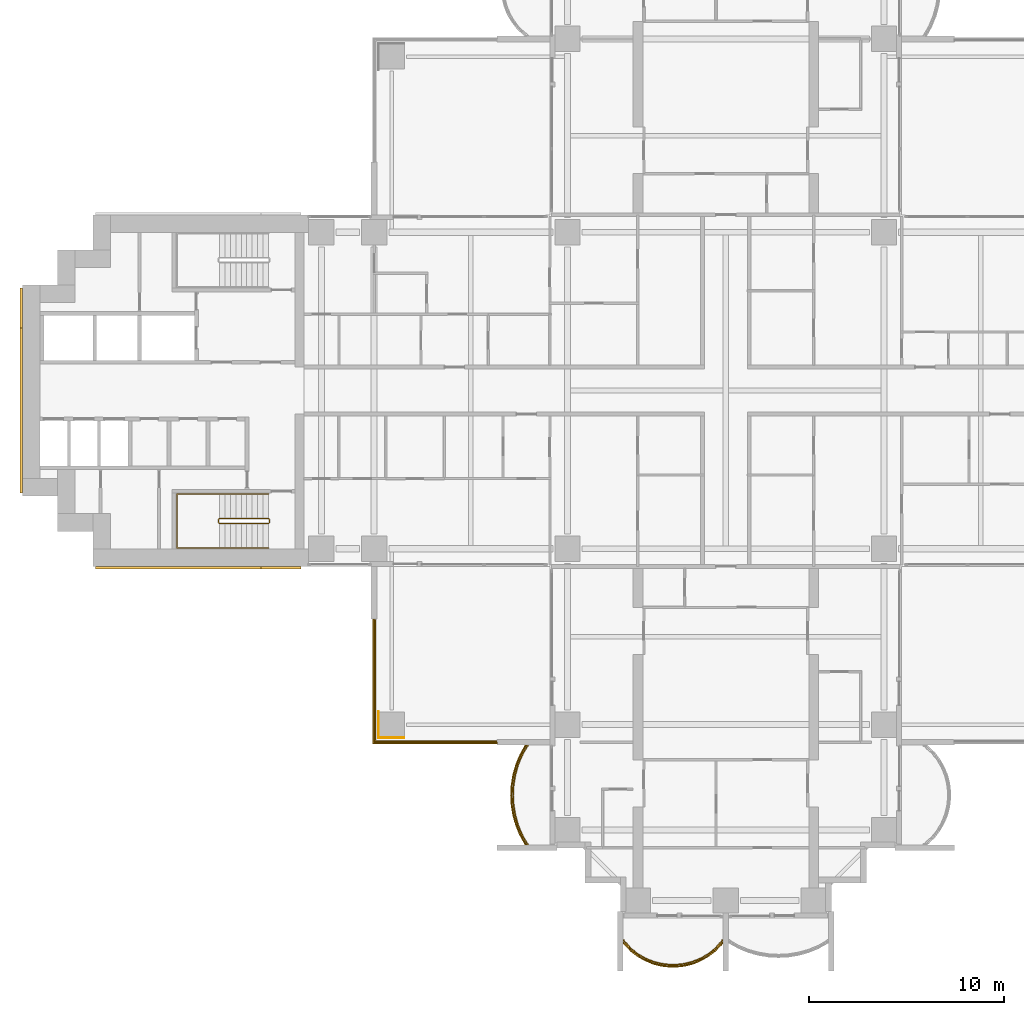
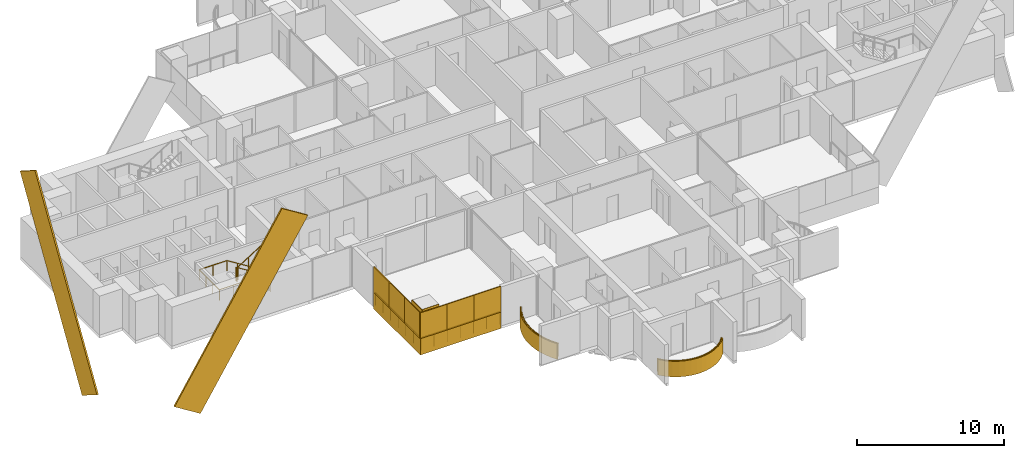
# One storey, part 19 of 23: 13 coverings, 5 railings.
"""IFC4 building model written with IfcOpenShell, lengths in metres."""

from ifc_helpers import new_model, si_unit, direction, frame, origin, origin_2d, place, context, subcontext, project, spatial, polyline, rectangle, outline, extrude, material, layer, layer_set, material_profile, profile_set, type_object, element, save


model = new_model("IFC4")

# Units and contexts
model_context = context("Model", 3, precision=1e-05, world=origin(), true_north=direction((0.0, 1.0)))
body_context = subcontext(model_context, "Body", "Model", "MODEL_VIEW")
ifc_project = project(units=[si_unit("LENGTHUNIT", "METRE"), si_unit("AREAUNIT", "SQUARE_METRE"), si_unit("VOLUMEUNIT", "CUBIC_METRE"), si_unit("PLANEANGLEUNIT", "RADIAN"), si_unit("MASSUNIT", "GRAM", prefix="KILO")], contexts=[model_context])

# Site, building, storey
site_placement = place(None, origin())
site = spatial("IfcSite", under=ifc_project, at=site_placement, CompositionType="ELEMENT")
building_placement = place(site_placement, origin())
building = spatial("IfcBuilding", under=site, at=building_placement, Name="Perihelion Cross Residences", CompositionType="ELEMENT")
storey_placement = place(building_placement, frame((0.0, 0.0, 36.5)))
storey = spatial("IfcBuildingStorey", under=building, at=storey_placement, Name="L05", CompositionType="ELEMENT", Elevation=36.5)

# Coverings
ifc_material_1 = material(Name="Bronze anodised aluminium", Category="aluminium")
ifc_layer_1 = layer(ifc_material_1, 0.070068359375)
ifc_layer_set_1 = layer_set([ifc_layer_1], Name="Balcony fascia 1300")
covering_type_1 = type_object("IfcCoveringType", Name="Balcony fascia 1300", PredefinedType="CLADDING", material=ifc_layer_set_1)
covering_1_placement = place(storey_placement, frame((0.0, 0.0, -0.199951171875)))
element("IfcCovering", 1, at=covering_1_placement, inside=storey, type_object=covering_type_1, Name="Fascia BF1 L05 south side west bay 2", PredefinedType="CLADDING", context=body_context, shape_type="SweptSolid", body=[
    extrude(outline(polyline([(-10.54833984375, -18.629638671875), (-10.7607421875, -19.147216796875), (-10.906494140625, -19.664794921875), (-10.991943359375, -20.182373046875), (-11.02001953125, -20.699951171875), (-10.991943359375, -21.217529296875), (-10.906494140625, -21.735107421875), (-10.7607421875, -22.2529296875), (-10.54833984375, -22.7705078125), (-10.2802734375, -23.25), (-10.199951171875, -23.25), (-10.4853515625, -22.739990234375), (-10.694580078125, -22.22998046875), (-10.838134765625, -21.719970703125), (-10.92236328125, -21.2099609375), (-10.949951171875, -20.699951171875), (-10.92236328125, -20.18994140625), (-10.838134765625, -19.679931640625), (-10.694580078125, -19.169921875), (-10.4853515625, -18.659912109375), (-10.199951171875, -18.14990234375), (-10.2802734375, -18.14990234375), (-10.54833984375, -18.629638671875)])), origin(), (0.0, 0.0, 1.0), 1.300048828125),
])
covering_2_placement = place(storey_placement, frame((0.0, 0.0, -0.199951171875)))
element("IfcCovering", 2, at=covering_2_placement, inside=storey, type_object=covering_type_1, Name="Fascia BF1 L05 south tip south bay 1", PredefinedType="CLADDING", context=body_context, shape_type="SweptSolid", body=[
    extrude(outline(polyline([(-4.90478515625, -28.674072265625), (-4.50390625, -28.982666015625), (-4.10302734375, -29.20654296875), (-3.7021484375, -29.364013671875), (-3.30126953125, -29.464599609375), (-2.900390625, -29.513916015625), (-2.49951171875, -29.513916015625), (-2.0986328125, -29.464599609375), (-1.69775390625, -29.364013671875), (-1.296875, -29.20654296875), (-0.89599609375, -28.982666015625), (-0.4951171875, -28.674072265625), (-0.14990234375, -28.302734375), (-0.14990234375, -28.199951171875), (-0.542236328125, -28.622314453125), (-0.9345703125, -28.924072265625), (-1.326904296875, -29.143310546875), (-1.71923828125, -29.29736328125), (-2.111572265625, -29.39599609375), (-2.50390625, -29.444091796875), (-2.896240234375, -29.444091796875), (-3.28857421875, -29.39599609375), (-3.6806640625, -29.29736328125), (-4.072998046875, -29.143310546875), (-4.46533203125, -28.924072265625), (-4.857666015625, -28.622314453125), (-5.25, -28.199951171875), (-5.25, -28.302734375), (-4.90478515625, -28.674072265625)])), origin(), (0.0, 0.0, 1.0), 1.300048828125),
])

# Railings
ifc_material_2 = material(Name="Bronze anodised aluminium", Category="aluminium")
railing_type_1 = type_object("IfcRailingType", Name="Balcony guard 1100", PredefinedType="GUARDRAIL", material=ifc_material_2)
railing_1_placement = place(storey_placement, frame((-10.139892578125, -18.175048828125, 0.0)))
element("IfcRailing", 3, at=railing_1_placement, inside=storey, type_object=railing_type_1, Name="Guard GU1 L05 south side west bay 2 balcony", PredefinedType="GUARDRAIL", context=body_context, shape_type="SweptSolid", body=[
    extrude(rectangle(XDim=0.048095703125, YDim=0.048095703125, at=origin_2d()), frame((0.0, 0.0, 1.076171875), z_axis=(-0.507266632806, -0.861789164031, 0.0), x_axis=(0.861789164031, -0.507266632806, 0.0)), (0.0, 0.0, 1.0), 0.562744140625),
    extrude(rectangle(XDim=0.048095703125, YDim=0.048095703125, at=origin_2d()), frame((-0.285400390625, -0.48486328125, 1.076171875), z_axis=(-0.379546636342, -0.925172605972, 0.0), x_axis=(0.925172605972, -0.379546636342, 0.0)), (0.0, 0.0, 1.0), 0.55126953125),
    extrude(rectangle(XDim=0.048095703125, YDim=0.048095703125, at=origin_2d()), frame((-0.49462890625, -0.994873046875, 1.076171875), z_axis=(-0.271372618732, -0.962474364231, 0.0), x_axis=(0.962474364231, -0.271372618732, 0.0)), (0.0, 0.0, 1.0), 0.52978515625),
    extrude(rectangle(XDim=0.048095703125, YDim=0.048095703125, at=origin_2d()), frame((-0.638427734375, -1.5048828125, 1.076171875), z_axis=(-0.162483799314, -0.986711211531, 0.0), x_axis=(0.986711211531, -0.162483799314, 0.0)), (0.0, 0.0, 1.0), 0.516845703125),
    extrude(rectangle(XDim=0.048095703125, YDim=0.048095703125, at=origin_2d()), frame((-0.722412109375, -2.014892578125, 1.076171875), z_axis=(-0.05401390175, -0.998540183677, 0.0), x_axis=(0.998540183677, -0.05401390175, 0.0)), (0.0, 0.0, 1.0), 0.5107421875),
    extrude(rectangle(XDim=0.048095703125, YDim=0.048095703125, at=origin_2d()), frame((-0.75, -2.52490234375, 1.076171875), z_axis=(0.05401390175, -0.998540183677, 0.0), x_axis=(0.998540183677, 0.05401390175, 0.0)), (0.0, 0.0, 1.0), 0.5107421875),
    extrude(rectangle(XDim=0.048095703125, YDim=0.048095703125, at=origin_2d()), frame((-0.722412109375, -3.034912109375, 1.076171875), z_axis=(0.162483799314, -0.986711211531, 0.0), x_axis=(0.986711211531, 0.162483799314, 0.0)), (0.0, 0.0, 1.0), 0.516845703125),
    extrude(rectangle(XDim=0.048095703125, YDim=0.048095703125, at=origin_2d()), frame((-0.638427734375, -3.544921875, 1.076171875), z_axis=(0.271372618732, -0.962474364231, 0.0), x_axis=(0.962474364231, 0.271372618732, 0.0)), (0.0, 0.0, 1.0), 0.52978515625),
    extrude(rectangle(XDim=0.048095703125, YDim=0.048095703125, at=origin_2d()), frame((-0.49462890625, -4.054931640625, 1.076171875), z_axis=(0.379546636342, -0.925172605972, 0.0), x_axis=(0.925172605972, 0.379546636342, 0.0)), (0.0, 0.0, 1.0), 0.55126953125),
    extrude(rectangle(XDim=0.048095703125, YDim=0.048095703125, at=origin_2d()), frame((-0.285400390625, -4.56494140625, 1.076171875), z_axis=(0.507076995033, -0.861900760591, 0.0), x_axis=(0.861900760591, 0.507076995033, 0.0)), (0.0, 0.0, 1.0), 0.562744140625),
    extrude(rectangle(XDim=0.0419921875, YDim=0.0419921875, at=origin_2d()), origin(), (0.0, 0.0, 1.0), 1.052001953125),
    extrude(rectangle(XDim=0.0419921875, YDim=0.0419921875, at=origin_2d()), frame((-0.285400390625, -0.48486328125, 0.0)), (0.0, 0.0, 1.0), 1.052001953125),
    extrude(rectangle(XDim=0.0419921875, YDim=0.0419921875, at=origin_2d()), frame((-0.49462890625, -0.994873046875, 0.0)), (0.0, 0.0, 1.0), 1.052001953125),
    extrude(rectangle(XDim=0.0419921875, YDim=0.0419921875, at=origin_2d()), frame((-0.638427734375, -1.5048828125, 0.0)), (0.0, 0.0, 1.0), 1.052001953125),
    extrude(rectangle(XDim=0.0419921875, YDim=0.0419921875, at=origin_2d()), frame((-0.722412109375, -2.014892578125, 0.0)), (0.0, 0.0, 1.0), 1.052001953125),
    extrude(rectangle(XDim=0.0419921875, YDim=0.0419921875, at=origin_2d()), frame((-0.75, -2.52490234375, 0.0)), (0.0, 0.0, 1.0), 1.052001953125),
    extrude(rectangle(XDim=0.0419921875, YDim=0.0419921875, at=origin_2d()), frame((-0.722412109375, -3.034912109375, 0.0)), (0.0, 0.0, 1.0), 1.052001953125),
    extrude(rectangle(XDim=0.0419921875, YDim=0.0419921875, at=origin_2d()), frame((-0.638427734375, -3.544921875, 0.0)), (0.0, 0.0, 1.0), 1.052001953125),
    extrude(rectangle(XDim=0.0419921875, YDim=0.0419921875, at=origin_2d()), frame((-0.49462890625, -4.054931640625, 0.0)), (0.0, 0.0, 1.0), 1.052001953125),
    extrude(rectangle(XDim=0.0419921875, YDim=0.0419921875, at=origin_2d()), frame((-0.285400390625, -4.56494140625, 0.0)), (0.0, 0.0, 1.0), 1.052001953125),
    extrude(rectangle(XDim=0.0419921875, YDim=0.0419921875, at=origin_2d()), frame((0.0, -5.050048828125, 0.0)), (0.0, 0.0, 1.0), 1.052001953125),
])
railing_2_placement = place(storey_placement, frame((-5.22509765625, -28.139892578125, 0.0)))
element("IfcRailing", 4, at=railing_2_placement, inside=storey, type_object=railing_type_1, Name="Guard GU1 L05 south tip south bay 1 balcony", PredefinedType="GUARDRAIL", context=body_context, shape_type="SweptSolid", body=[
    extrude(rectangle(XDim=0.048095703125, YDim=0.048095703125, at=origin_2d()), frame((0.0, 0.0, 1.076171875), z_axis=(0.656340655493, -0.754464673757, 0.0), x_axis=(0.754464673757, 0.656340655493, 0.0)), (0.0, 0.0, 1.0), 0.559814453125),
    extrude(rectangle(XDim=0.048095703125, YDim=0.048095703125, at=origin_2d()), frame((0.367431640625, -0.42236328125, 1.076171875), z_axis=(0.792660660899, -0.60966308455, 0.0), x_axis=(0.60966308455, 0.792660660899, 0.0)), (0.0, 0.0, 1.0), 0.494873046875),
    extrude(rectangle(XDim=0.048095703125, YDim=0.048095703125, at=origin_2d()), frame((0.759765625, -0.72412109375, 1.076171875), z_axis=(0.872950285698, -0.487809182674, 0.0), x_axis=(0.487809182674, 0.872950285698, 0.0)), (0.0, 0.0, 1.0), 0.449462890625),
    extrude(rectangle(XDim=0.048095703125, YDim=0.048095703125, at=origin_2d()), frame((1.152099609375, -0.943359375, 1.076171875), z_axis=(0.930814842219, -0.365491079925, 0.0), x_axis=(0.365491079925, 0.930814842219, 0.0)), (0.0, 0.0, 1.0), 0.42138671875),
    extrude(rectangle(XDim=0.048095703125, YDim=0.048095703125, at=origin_2d()), frame((1.54443359375, -1.097412109375, 1.076171875), z_axis=(0.969786252666, -0.243956193074, 0.0), x_axis=(0.243956193074, 0.969786252666, 0.0)), (0.0, 0.0, 1.0), 0.404296875),
    extrude(rectangle(XDim=0.048095703125, YDim=0.048095703125, at=origin_2d()), frame((1.9365234375, -1.196044921875, 1.076171875), z_axis=(0.992569651699, -0.121677797999, 0.0), x_axis=(0.121677797999, 0.992569651699, 0.0)), (0.0, 0.0, 1.0), 0.395263671875),
    extrude(rectangle(XDim=0.048095703125, YDim=0.048095703125, at=origin_2d()), frame((2.328857421875, -1.244140625, 1.076171875), z_axis=(1.0, 0.0, 0.0), x_axis=(0.0, 1.0, 0.0)), (0.0, 0.0, 1.0), 0.392333984375),
    extrude(rectangle(XDim=0.048095703125, YDim=0.048095703125, at=origin_2d()), frame((2.72119140625, -1.244140625, 1.076171875), z_axis=(0.992569651699, 0.121677797999, 0.0), x_axis=(-0.121677797999, 0.992569651699, 0.0)), (0.0, 0.0, 1.0), 0.395263671875),
    extrude(rectangle(XDim=0.048095703125, YDim=0.048095703125, at=origin_2d()), frame((3.113525390625, -1.196044921875, 1.076171875), z_axis=(0.969822159145, 0.243813411509, 0.0), x_axis=(-0.243813411509, 0.969822159145, 0.0)), (0.0, 0.0, 1.0), 0.404541015625),
    extrude(rectangle(XDim=0.048095703125, YDim=0.048095703125, at=origin_2d()), frame((3.505859375, -1.097412109375, 1.076171875), z_axis=(0.930814842219, 0.365491079925, 0.0), x_axis=(-0.365491079925, 0.930814842219, 0.0)), (0.0, 0.0, 1.0), 0.42138671875),
    extrude(rectangle(XDim=0.048095703125, YDim=0.048095703125, at=origin_2d()), frame((3.898193359375, -0.943359375, 1.076171875), z_axis=(0.872950285698, 0.487809182674, 0.0), x_axis=(-0.487809182674, 0.872950285698, 0.0)), (0.0, 0.0, 1.0), 0.449462890625),
    extrude(rectangle(XDim=0.048095703125, YDim=0.048095703125, at=origin_2d()), frame((4.29052734375, -0.72412109375, 1.076171875), z_axis=(0.792660660899, 0.60966308455, 0.0), x_axis=(-0.60966308455, 0.792660660899, 0.0)), (0.0, 0.0, 1.0), 0.494873046875),
    extrude(rectangle(XDim=0.048095703125, YDim=0.048095703125, at=origin_2d()), frame((4.682861328125, -0.42236328125, 1.076171875), z_axis=(0.656092309534, 0.754680648599, 0.0), x_axis=(-0.754680648599, 0.656092309534, 0.0)), (0.0, 0.0, 1.0), 0.5595703125),
    extrude(rectangle(XDim=0.0419921875, YDim=0.0419921875, at=origin_2d()), origin(), (0.0, 0.0, 1.0), 1.052001953125),
    extrude(rectangle(XDim=0.0419921875, YDim=0.0419921875, at=origin_2d()), frame((0.367431640625, -0.42236328125, 0.0)), (0.0, 0.0, 1.0), 1.052001953125),
    extrude(rectangle(XDim=0.0419921875, YDim=0.0419921875, at=origin_2d()), frame((0.759765625, -0.72412109375, 0.0)), (0.0, 0.0, 1.0), 1.052001953125),
    extrude(rectangle(XDim=0.0419921875, YDim=0.0419921875, at=origin_2d()), frame((1.152099609375, -0.943359375, 0.0)), (0.0, 0.0, 1.0), 1.052001953125),
    extrude(rectangle(XDim=0.0419921875, YDim=0.0419921875, at=origin_2d()), frame((1.54443359375, -1.097412109375, 0.0)), (0.0, 0.0, 1.0), 1.052001953125),
    extrude(rectangle(XDim=0.0419921875, YDim=0.0419921875, at=origin_2d()), frame((1.9365234375, -1.196044921875, 0.0)), (0.0, 0.0, 1.0), 1.052001953125),
    extrude(rectangle(XDim=0.0419921875, YDim=0.0419921875, at=origin_2d()), frame((2.328857421875, -1.244140625, 0.0)), (0.0, 0.0, 1.0), 1.052001953125),
    extrude(rectangle(XDim=0.0419921875, YDim=0.0419921875, at=origin_2d()), frame((2.72119140625, -1.244140625, 0.0)), (0.0, 0.0, 1.0), 1.052001953125),
    extrude(rectangle(XDim=0.0419921875, YDim=0.0419921875, at=origin_2d()), frame((3.113525390625, -1.196044921875, 0.0)), (0.0, 0.0, 1.0), 1.052001953125),
    extrude(rectangle(XDim=0.0419921875, YDim=0.0419921875, at=origin_2d()), frame((3.505859375, -1.097412109375, 0.0)), (0.0, 0.0, 1.0), 1.052001953125),
    extrude(rectangle(XDim=0.0419921875, YDim=0.0419921875, at=origin_2d()), frame((3.898193359375, -0.943359375, 0.0)), (0.0, 0.0, 1.0), 1.052001953125),
    extrude(rectangle(XDim=0.0419921875, YDim=0.0419921875, at=origin_2d()), frame((4.29052734375, -0.72412109375, 0.0)), (0.0, 0.0, 1.0), 1.052001953125),
    extrude(rectangle(XDim=0.0419921875, YDim=0.0419921875, at=origin_2d()), frame((4.682861328125, -0.42236328125, 0.0)), (0.0, 0.0, 1.0), 1.052001953125),
    extrude(rectangle(XDim=0.0419921875, YDim=0.0419921875, at=origin_2d()), frame((5.050048828125, 0.0, 0.0)), (0.0, 0.0, 1.0), 1.052001953125),
])
railing_3_placement = place(storey_placement, frame((-11.739990234375, -17.93994140625, 0.0)))
element("IfcRailing", 5, at=railing_3_placement, inside=storey, type_object=railing_type_1, Name="Guard GU1 L05 pocket south-west 1", PredefinedType="GUARDRAIL", context=body_context, shape_type="SweptSolid", body=[
    extrude(rectangle(XDim=0.048095703125, YDim=0.048095703125, at=origin_2d()), frame((0.0, 0.0, 1.076171875), z_axis=(-1.0, 0.0, 0.0), x_axis=(0.0, -1.0, 0.0)), (0.0, 0.0, 1.0), 6.199951171875),
    extrude(rectangle(XDim=0.048095703125, YDim=0.048095703125, at=origin_2d()), frame((-6.199951171875, 0.0, 1.076171875), z_axis=(0.0, 1.0, 0.0), x_axis=(-1.0, 0.0, 0.0)), (0.0, 0.0, 1.0), 6.199951171875),
    extrude(rectangle(XDim=0.0419921875, YDim=0.0419921875, at=origin_2d()), origin(), (0.0, 0.0, 1.0), 1.052001953125),
    extrude(rectangle(XDim=0.0419921875, YDim=0.0419921875, at=origin_2d()), frame((-1.033203125, 0.0, 0.0)), (0.0, 0.0, 1.0), 1.052001953125),
    extrude(rectangle(XDim=0.0419921875, YDim=0.0419921875, at=origin_2d()), frame((-2.066650390625, 0.0, 0.0)), (0.0, 0.0, 1.0), 1.052001953125),
    extrude(rectangle(XDim=0.0419921875, YDim=0.0419921875, at=origin_2d()), frame((-3.10009765625, 0.0, 0.0)), (0.0, 0.0, 1.0), 1.052001953125),
    extrude(rectangle(XDim=0.0419921875, YDim=0.0419921875, at=origin_2d()), frame((-4.13330078125, 0.0, 0.0)), (0.0, 0.0, 1.0), 1.052001953125),
    extrude(rectangle(XDim=0.0419921875, YDim=0.0419921875, at=origin_2d()), frame((-5.16650390625, 0.0, 0.0)), (0.0, 0.0, 1.0), 1.052001953125),
    extrude(rectangle(XDim=0.0419921875, YDim=0.0419921875, at=origin_2d()), frame((-6.199951171875, 0.0, 0.0)), (0.0, 0.0, 1.0), 1.052001953125),
    extrude(rectangle(XDim=0.0419921875, YDim=0.0419921875, at=origin_2d()), frame((-6.199951171875, 1.033203125, 0.0)), (0.0, 0.0, 1.0), 1.052001953125),
    extrude(rectangle(XDim=0.0419921875, YDim=0.0419921875, at=origin_2d()), frame((-6.199951171875, 2.066650390625, 0.0)), (0.0, 0.0, 1.0), 1.052001953125),
    extrude(rectangle(XDim=0.0419921875, YDim=0.0419921875, at=origin_2d()), frame((-6.199951171875, 3.10009765625, 0.0)), (0.0, 0.0, 1.0), 1.052001953125),
    extrude(rectangle(XDim=0.0419921875, YDim=0.0419921875, at=origin_2d()), frame((-6.199951171875, 4.13330078125, 0.0)), (0.0, 0.0, 1.0), 1.052001953125),
    extrude(rectangle(XDim=0.0419921875, YDim=0.0419921875, at=origin_2d()), frame((-6.199951171875, 5.16650390625, 0.0)), (0.0, 0.0, 1.0), 1.052001953125),
    extrude(rectangle(XDim=0.0419921875, YDim=0.0419921875, at=origin_2d()), frame((-6.199951171875, 6.199951171875, 0.0)), (0.0, 0.0, 1.0), 1.052001953125),
])

# Coverings
ifc_material_3 = material(Name="Bronze anodised aluminium", Category="aluminium")
ifc_material_profile = material_profile(ifc_material_3, rectangle(XDim=0.125, YDim=2.39990234375, at=origin_2d()), Name="Bronze cladding band 2400")
ifc_profile_set = profile_set([ifc_material_profile], Name="Bronze anodised aluminium")
covering_type_2 = type_object("IfcCoveringType", Name="Bronze cladding band 2400", PredefinedType="CLADDING", material=ifc_profile_set)
for number, where, z_axis, x_axis, name in (
    (6, (-31.232421875, -9.0625, -5.656005859375), (0.529931619435, 0.0, 0.848040375644), (0.0, 1.0, 0.0), "Core cladding band, west core"),
    (7, (-36.0625, -4.232421875, -5.656005859375), (0.0, 0.529931619435, 0.848040375644), (-1.0, 0.0, 0.0), "Core cladding band, west core"),
):
    element("IfcCovering", number, at=place(storey_placement, frame(where, z_axis=z_axis, x_axis=x_axis)), inside=storey, type_object=covering_type_2, Name=name, PredefinedType="CLADDING", context=body_context, shape_type="SweptSolid", body=[
        extrude(rectangle(XDim=0.125, YDim=2.39990234375, at=origin_2d()), origin(), (0.0, 0.0, 1.0), 15.973388671875),
    ])
ifc_material_4 = material(Name="Bronze anodised aluminium", Category="aluminium")
ifc_layer_2 = layer(ifc_material_4, 0.0400390625)
ifc_layer_set_2 = layer_set([ifc_layer_2], Name="Bronze column casing 40")
covering_type_3 = type_object("IfcCoveringType", Name="Bronze column casing 40", PredefinedType="CLADDING", material=ifc_layer_set_2)
covering_3_placement = place(storey_placement, frame((-17.77001953125, -17.10009765625, -0.25), z_axis=(0.0, 0.0, 1.0), x_axis=(1.0, 0.0, 0.0)))
element("IfcCovering", 8, at=covering_3_placement, inside=storey, type_object=covering_type_3, Name="Cladding CC1 L05 casing east-west no. 1", PredefinedType="CLADDING", context=body_context, shape_type="SweptSolid", body=[
    extrude(rectangle(XDim=0.0400390625, YDim=1.3798828125, at=origin_2d()), origin(), (0.0, 0.0, 1.0), 3.5),
])
covering_4_placement = place(storey_placement, frame((-17.10009765625, -17.77001953125, -0.25), z_axis=(0.0, 0.0, 1.0), x_axis=(1.0, 0.0, 0.0)))
element("IfcCovering", 9, at=covering_4_placement, inside=storey, type_object=covering_type_3, Name="Cladding CC1 L05 casing north-south no. 1", PredefinedType="CLADDING", context=body_context, shape_type="SweptSolid", body=[
    extrude(rectangle(XDim=1.300048828125, YDim=0.0400390625, at=origin_2d()), origin(), (0.0, 0.0, 1.0), 3.5),
])
ifc_material_5 = material(Name="Bronze anodised aluminium", Category="aluminium")
ifc_layer_3 = layer(ifc_material_5, 0.070068359375)
ifc_layer_set_3 = layer_set([ifc_layer_3], Name="Pocket fascia 1350")
covering_type_4 = type_object("IfcCoveringType", Name="Pocket fascia 1350", PredefinedType="CLADDING", material=ifc_layer_set_3)
covering_5_placement = place(storey_placement, frame((0.0, 0.0, -0.25)))
element("IfcCovering", 10, at=covering_5_placement, inside=storey, type_object=covering_type_4, Name="Fascia BF2 L05 pocket south-west 1", PredefinedType="CLADDING", context=body_context, shape_type="SweptSolid", body=[
    extrude(outline(polyline([(-18.070068359375, -11.699951171875), (-18.070068359375, -18.070068359375), (-11.699951171875, -18.070068359375), (-11.699951171875, -18.0), (-18.0, -18.0), (-18.0, -11.699951171875), (-18.070068359375, -11.699951171875)])), origin(), (0.0, 0.0, 1.0), 1.35009765625),
])
ifc_material_6 = material(Name="Bronze perforated aluminium", Category="aluminium")
ifc_layer_4 = layer(ifc_material_6, 0.070068359375)
ifc_layer_set_4 = layer_set([ifc_layer_4], Name="Pocket solar screen, bronze perforated")
covering_type_5 = type_object("IfcCoveringType", Name="Pocket solar screen, bronze perforated", PredefinedType="CLADDING", material=ifc_layer_set_4)
covering_6_placement = place(storey_placement, frame((0.0, 0.0, 1.10009765625)))
element("IfcCovering", 11, at=covering_6_placement, inside=storey, type_object=covering_type_5, Name="Solar screen PS1 L05 pocket south-west no. 1", PredefinedType="CLADDING", context=body_context, shape_type="SweptSolid", body=[
    extrude(outline(polyline([(-18.0, -18.0), (-18.0, -15.89990234375), (-18.070068359375, -15.89990234375), (-18.070068359375, -18.0), (-18.0, -18.0)])), origin(), (0.0, 0.0, 1.0), 2.14990234375),
])
covering_7_placement = place(storey_placement, frame((0.0, 0.0, 1.10009765625)))
element("IfcCovering", 12, at=covering_7_placement, inside=storey, type_object=covering_type_5, Name="Solar screen PS1 L05 pocket south-west no. 2", PredefinedType="CLADDING", context=body_context, shape_type="SweptSolid", body=[
    extrude(outline(polyline([(-18.0, -15.89990234375), (-18.0, -13.800048828125), (-18.070068359375, -13.800048828125), (-18.070068359375, -15.89990234375), (-18.0, -15.89990234375)])), origin(), (0.0, 0.0, 1.0), 2.14990234375),
])
covering_8_placement = place(storey_placement, frame((0.0, 0.0, 1.10009765625)))
element("IfcCovering", 13, at=covering_8_placement, inside=storey, type_object=covering_type_5, Name="Solar screen PS1 L05 pocket south-west no. 3", PredefinedType="CLADDING", context=body_context, shape_type="SweptSolid", body=[
    extrude(outline(polyline([(-18.0, -13.800048828125), (-18.0, -11.699951171875), (-18.070068359375, -11.699951171875), (-18.070068359375, -13.800048828125), (-18.0, -13.800048828125)])), origin(), (0.0, 0.0, 1.0), 2.14990234375),
])
covering_9_placement = place(storey_placement, frame((0.0, 0.0, 1.10009765625)))
element("IfcCovering", 14, at=covering_9_placement, inside=storey, type_object=covering_type_5, Name="Solar screen PS1 L05 pocket south-west no. 4", PredefinedType="CLADDING", context=body_context, shape_type="SweptSolid", body=[
    extrude(outline(polyline([(-15.94677734375, -18.070068359375), (-15.94677734375, -18.0), (-18.070068359375, -18.0), (-18.070068359375, -18.070068359375), (-15.94677734375, -18.070068359375)])), origin(), (0.0, 0.0, 1.0), 2.14990234375),
])
covering_10_placement = place(storey_placement, frame((0.0, 0.0, 1.10009765625)))
element("IfcCovering", 15, at=covering_10_placement, inside=storey, type_object=covering_type_5, Name="Solar screen PS1 L05 pocket south-west no. 5", PredefinedType="CLADDING", context=body_context, shape_type="SweptSolid", body=[
    extrude(outline(polyline([(-13.8232421875, -18.070068359375), (-13.8232421875, -18.0), (-15.94677734375, -18.0), (-15.94677734375, -18.070068359375), (-13.8232421875, -18.070068359375)])), origin(), (0.0, 0.0, 1.0), 2.14990234375),
])
covering_11_placement = place(storey_placement, frame((0.0, 0.0, 1.10009765625)))
element("IfcCovering", 16, at=covering_11_placement, inside=storey, type_object=covering_type_5, Name="Solar screen PS1 L05 pocket south-west no. 6", PredefinedType="CLADDING", context=body_context, shape_type="SweptSolid", body=[
    extrude(outline(polyline([(-11.699951171875, -18.070068359375), (-11.699951171875, -18.0), (-13.8232421875, -18.0), (-13.8232421875, -18.070068359375), (-11.699951171875, -18.070068359375)])), origin(), (0.0, 0.0, 1.0), 2.14990234375),
])

# Railings
ifc_material_7 = material(Name="Stainless steel", Category="steel")
railing_type_2 = type_object("IfcRailingType", Name="Stair guard 1100", PredefinedType="GUARDRAIL", material=ifc_material_7)
railing_4_placement = place(storey_placement, frame((-23.35009765625, -6.75, 0.0)))
element("IfcRailing", 17, at=railing_4_placement, inside=storey, type_object=railing_type_2, Name="L05 ST-W2 stair guard 1", PredefinedType="GUARDRAIL", context=body_context, shape_type="SweptSolid", body=[
    extrude(rectangle(XDim=0.048095703125, YDim=0.048095703125, at=origin_2d()), frame((0.0, 0.0, 1.076171875), z_axis=(0.0, 1.0, 0.0), x_axis=(-1.0, 0.0, 0.0)), (0.0, 0.0, 1.0), 0.14990234375),
    extrude(rectangle(XDim=0.048095703125, YDim=0.048095703125, at=origin_2d()), frame((0.0, 0.14990234375, 1.076171875), z_axis=(-0.263862480399, 0.265155923931, 0.927399011991), x_axis=(-0.708833529934, -0.705375805398, 0.0)), (0.0, 0.0, 1.0), 0.188720703125),
    extrude(rectangle(XDim=0.048095703125, YDim=0.048095703125, at=origin_2d()), frame((-0.0498046875, 0.199951171875, 1.2509765625), z_axis=(-0.848007534815, 0.0, 0.529984170421), x_axis=(0.0, -1.0, 0.0)), (0.0, 0.0, 1.0), 2.9716796875),
    extrude(rectangle(XDim=0.048095703125, YDim=0.048095703125, at=origin_2d()), frame((-2.56982421875, 0.199951171875, 2.826171875), z_axis=(-0.707106781187, -0.707106781187, 0.0), x_axis=(0.707106781187, -0.707106781187, 0.0)), (0.0, 0.0, 1.0), 0.07080078125),
    extrude(rectangle(XDim=0.048095703125, YDim=0.048095703125, at=origin_2d()), frame((-2.619873046875, 0.14990234375, 2.826171875), z_axis=(0.0, -1.0, 0.0), x_axis=(1.0, 0.0, 0.0)), (0.0, 0.0, 1.0), 0.14990234375),
    extrude(rectangle(XDim=0.048095703125, YDim=0.048095703125, at=origin_2d()), frame((-2.619873046875, 0.0, 2.826171875), z_axis=(0.265065253269, -0.265065253269, 0.927081885822), x_axis=(0.707106781187, 0.707106781187, 0.0)), (0.0, 0.0, 1.0), 0.188720703125),
    extrude(rectangle(XDim=0.048095703125, YDim=0.048095703125, at=origin_2d()), frame((-2.56982421875, -0.050048828125, 3.0009765625), z_axis=(0.848007534815, 0.0, 0.529984170421), x_axis=(0.0, 1.0, 0.0)), (0.0, 0.0, 1.0), 2.9716796875),
    extrude(rectangle(XDim=0.0419921875, YDim=0.0419921875, at=origin_2d()), origin(), (0.0, 0.0, 1.0), 1.052001953125),
    extrude(rectangle(XDim=0.0419921875, YDim=0.0419921875, at=origin_2d()), frame((0.0, 0.14990234375, 0.0)), (0.0, 0.0, 1.0), 1.052001953125),
    extrude(rectangle(XDim=0.0419921875, YDim=0.0419921875, at=origin_2d()), frame((-0.0498046875, 0.199951171875, 0.175048828125)), (0.0, 0.0, 1.0), 1.052001953125),
    extrude(rectangle(XDim=0.0419921875, YDim=0.0419921875, at=origin_2d()), frame((-0.889892578125, 0.199951171875, 0.699951171875)), (0.0, 0.0, 1.0), 1.052001953125),
    extrude(rectangle(XDim=0.0419921875, YDim=0.0419921875, at=origin_2d()), frame((-1.729736328125, 0.199951171875, 1.22509765625)), (0.0, 0.0, 1.0), 1.052001953125),
    extrude(rectangle(XDim=0.0419921875, YDim=0.0419921875, at=origin_2d()), frame((-2.56982421875, 0.199951171875, 1.75)), (0.0, 0.0, 1.0), 1.052001953125),
    extrude(rectangle(XDim=0.0419921875, YDim=0.0419921875, at=origin_2d()), frame((-2.619873046875, 0.14990234375, 1.75)), (0.0, 0.0, 1.0), 1.052001953125),
    extrude(rectangle(XDim=0.0419921875, YDim=0.0419921875, at=origin_2d()), frame((-2.619873046875, 0.0, 1.75)), (0.0, 0.0, 1.0), 1.052001953125),
    extrude(rectangle(XDim=0.0419921875, YDim=0.0419921875, at=origin_2d()), frame((-2.56982421875, -0.050048828125, 1.925048828125)), (0.0, 0.0, 1.0), 1.052001953125),
    extrude(rectangle(XDim=0.0419921875, YDim=0.0419921875, at=origin_2d()), frame((-1.729736328125, -0.050048828125, 2.449951171875)), (0.0, 0.0, 1.0), 1.052001953125),
    extrude(rectangle(XDim=0.0419921875, YDim=0.0419921875, at=origin_2d()), frame((-0.889892578125, -0.050048828125, 2.97509765625)), (0.0, 0.0, 1.0), 1.052001953125),
    extrude(rectangle(XDim=0.0419921875, YDim=0.0419921875, at=origin_2d()), frame((-0.0498046875, -0.050048828125, 3.5)), (0.0, 0.0, 1.0), 1.052001953125),
])
ifc_material_8 = material(Name="Stainless steel", Category="steel")
railing_type_3 = type_object("IfcRailingType", Name="Stair handrail 900", PredefinedType="HANDRAIL", material=ifc_material_8)
railing_5_placement = place(storey_placement, frame((-23.39990234375, -5.300048828125, 0.175048828125)))
element("IfcRailing", 18, at=railing_5_placement, inside=storey, type_object=railing_type_3, Name="L05 ST-W2 stair handrail 1", PredefinedType="HANDRAIL", context=body_context, shape_type="SweptSolid", body=[
    extrude(rectangle(XDim=0.048095703125, YDim=0.048095703125, at=origin_2d()), frame((0.0, 0.0, 0.8759765625), z_axis=(-0.848007534815, 0.0, 0.529984170421), x_axis=(0.0, -1.0, 0.0)), (0.0, 0.0, 1.0), 2.9716796875),
    extrude(rectangle(XDim=0.048095703125, YDim=0.048095703125, at=origin_2d()), frame((-2.52001953125, 0.0, 2.45068359375), z_axis=(-1.0, 0.0, 0.0), x_axis=(0.0, -1.0, 0.0)), (0.0, 0.0, 1.0), 2.18017578125),
    extrude(rectangle(XDim=0.048095703125, YDim=0.048095703125, at=origin_2d()), frame((-4.7001953125, 0.0, 2.45068359375), z_axis=(0.0, -1.0, 0.0), x_axis=(1.0, 0.0, 0.0)), (0.0, 0.0, 1.0), 2.75),
    extrude(rectangle(XDim=0.048095703125, YDim=0.048095703125, at=origin_2d()), frame((-4.7001953125, -2.75, 2.45068359375), z_axis=(1.0, 0.0, 0.0), x_axis=(0.0, 1.0, 0.0)), (0.0, 0.0, 1.0), 2.18017578125),
    extrude(rectangle(XDim=0.048095703125, YDim=0.048095703125, at=origin_2d()), frame((-2.52001953125, -2.75, 2.45068359375), z_axis=(0.0, 0.0, 1.0), x_axis=(1.0, 0.0, 0.0)), (0.0, 0.0, 1.0), 0.175048828125),
    extrude(rectangle(XDim=0.048095703125, YDim=0.048095703125, at=origin_2d()), frame((-2.52001953125, -2.75, 2.6259765625), z_axis=(0.848007534815, 0.0, 0.529984170421), x_axis=(0.0, 1.0, 0.0)), (0.0, 0.0, 1.0), 2.9716796875),
    extrude(rectangle(XDim=0.0419921875, YDim=0.0419921875, at=origin_2d()), origin(), (0.0, 0.0, 1.0), 0.851806640625),
    extrude(rectangle(XDim=0.0419921875, YDim=0.0419921875, at=origin_2d()), frame((-0.840087890625, 0.0, 0.52490234375)), (0.0, 0.0, 1.0), 0.851806640625),
    extrude(rectangle(XDim=0.0419921875, YDim=0.0419921875, at=origin_2d()), frame((-1.679931640625, 0.0, 1.050048828125)), (0.0, 0.0, 1.0), 0.851806640625),
    extrude(rectangle(XDim=0.0419921875, YDim=0.0419921875, at=origin_2d()), frame((-2.52001953125, 0.0, 1.574951171875)), (0.0, 0.0, 1.0), 0.851806640625),
    extrude(rectangle(XDim=0.0419921875, YDim=0.0419921875, at=origin_2d()), frame((-3.610107421875, 0.0, 1.574951171875)), (0.0, 0.0, 1.0), 0.851806640625),
    extrude(rectangle(XDim=0.0419921875, YDim=0.0419921875, at=origin_2d()), frame((-4.7001953125, 0.0, 1.574951171875)), (0.0, 0.0, 1.0), 0.851806640625),
    extrude(rectangle(XDim=0.0419921875, YDim=0.0419921875, at=origin_2d()), frame((-4.7001953125, -0.916748046875, 1.574951171875)), (0.0, 0.0, 1.0), 0.851806640625),
    extrude(rectangle(XDim=0.0419921875, YDim=0.0419921875, at=origin_2d()), frame((-4.7001953125, -1.833251953125, 1.574951171875)), (0.0, 0.0, 1.0), 0.851806640625),
    extrude(rectangle(XDim=0.0419921875, YDim=0.0419921875, at=origin_2d()), frame((-4.7001953125, -2.75, 1.574951171875)), (0.0, 0.0, 1.0), 0.851806640625),
    extrude(rectangle(XDim=0.0419921875, YDim=0.0419921875, at=origin_2d()), frame((-3.610107421875, -2.75, 1.574951171875)), (0.0, 0.0, 1.0), 0.851806640625),
    extrude(rectangle(XDim=0.0419921875, YDim=0.0419921875, at=origin_2d()), frame((-2.52001953125, -2.75, 1.574951171875)), (0.0, 0.0, 1.0), 0.851806640625),
    extrude(rectangle(XDim=0.0419921875, YDim=0.0419921875, at=origin_2d()), frame((-2.52001953125, -2.75, 1.75)), (0.0, 0.0, 1.0), 0.851806640625),
    extrude(rectangle(XDim=0.0419921875, YDim=0.0419921875, at=origin_2d()), frame((-1.679931640625, -2.75, 2.27490234375)), (0.0, 0.0, 1.0), 0.851806640625),
    extrude(rectangle(XDim=0.0419921875, YDim=0.0419921875, at=origin_2d()), frame((-0.840087890625, -2.75, 2.800048828125)), (0.0, 0.0, 1.0), 0.851806640625),
    extrude(rectangle(XDim=0.0419921875, YDim=0.0419921875, at=origin_2d()), frame((0.0, -2.75, 3.324951171875)), (0.0, 0.0, 1.0), 0.851806640625),
])

save(model, "model.ifc")
